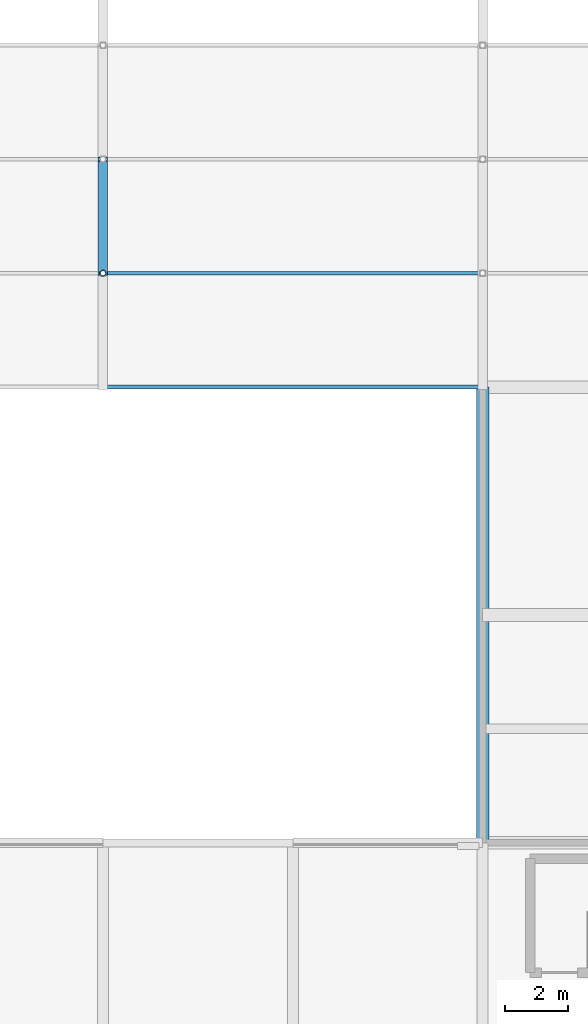
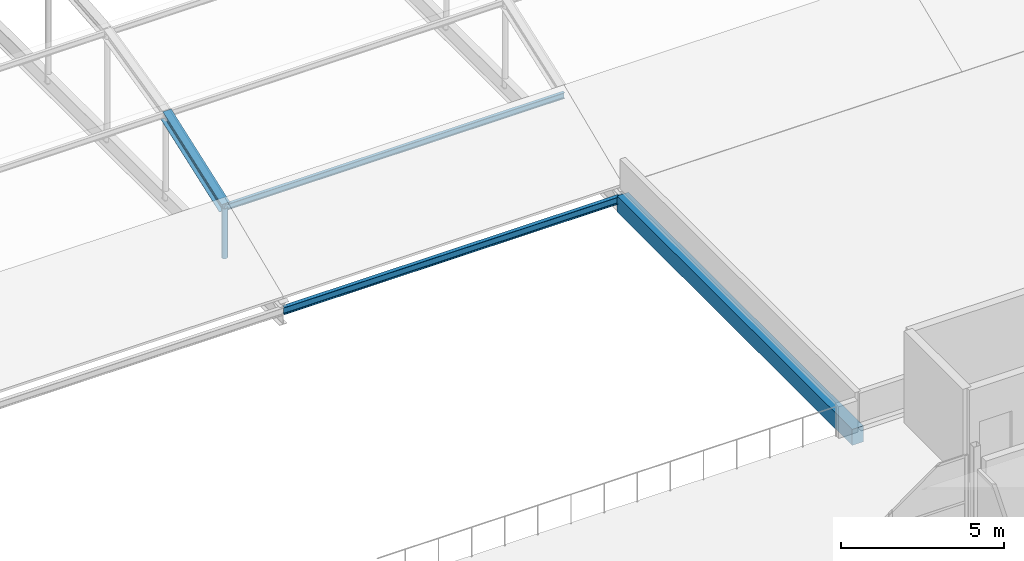
# One storey, part 169 of 239: 3 members, 2 beams.
"""IFC4 building model written with IfcOpenShell, lengths in metres."""

from ifc_helpers import new_model, si_unit, direction, frame, origin, origin_2d, place, context, subcontext, project, spatial, rectangle, hollow_circle, i_section, extrude, material, material_profile, profile_set, type_object, element, save


model = new_model("IFC4")

# Units and contexts
model_context = context("Model", 3, precision=1e-05, world=origin(), true_north=direction((0.0, 1.0)))
body_context = subcontext(model_context, "Body", "Model", "MODEL_VIEW")
ifc_project = project(units=[si_unit("LENGTHUNIT", "METRE"), si_unit("AREAUNIT", "SQUARE_METRE"), si_unit("VOLUMEUNIT", "CUBIC_METRE"), si_unit("PLANEANGLEUNIT", "RADIAN"), si_unit("MASSUNIT", "GRAM", prefix="KILO")], contexts=[model_context])

# Site, building, storey
site_placement = place(None, origin())
site = spatial("IfcSite", under=ifc_project, at=site_placement, CompositionType="ELEMENT")
building_placement = place(site_placement, origin())
building = spatial("IfcBuilding", under=site, at=building_placement, Name="Dunvalen Ferry Terminal", CompositionType="ELEMENT")
storey_placement = place(building_placement, frame((0.0, 0.0, 9.840087890625)))
storey = spatial("IfcBuildingStorey", under=building, at=storey_placement, Name="L02", CompositionType="ELEMENT", Elevation=9.840087890625)

# Beams
ifc_material_1 = material(Name="Steel S355", Category="steel")
ifc_material_profile_1 = material_profile(ifc_material_1, i_section(OverallWidth=0.300048828125, OverallDepth=0.389892578125, WebThickness=0.010986328125, FlangeThickness=0.01904296875, FilletRadius=0.027099609375, at=origin_2d()), Name="Steel S355")
ifc_profile_set_1 = profile_set([ifc_material_profile_1], Name="Steel S355")
beam_type_1 = type_object("IfcBeamType", Name="STR-BM-HEA400", PredefinedType="BEAM", material=ifc_profile_set_1)
beam_1_placement = place(storey_placement, frame((132.0, 61.199951171875, 1.530517578125), z_axis=(0.0, 0.940736051004, 0.33913962072), x_axis=(-1.0, 0.0, 0.0)))
element("IfcBeam", 1, at=beam_1_placement, inside=storey, type_object=beam_type_1, Name="Arrivals Hall Barrel-Vault Arch Rib 03.2", PredefinedType="BEAM", context=body_context, shape_type="SweptSolid", body=[
    extrude(i_section(OverallWidth=0.300048828125, OverallDepth=0.389892578125, WebThickness=0.010986328125, FlangeThickness=0.01904296875, FilletRadius=0.027099609375, at=origin_2d()), origin(), (0.0, 0.0, 1.0), 3.826904296875),
])
ifc_material_2 = material(Name="Concrete C35/45", Category="concrete")
ifc_material_profile_2 = material_profile(ifc_material_2, rectangle(XDim=0.39990234375, YDim=0.60009765625, at=origin_2d()), Name="Concrete C35/45")
ifc_profile_set_2 = profile_set([ifc_material_profile_2], Name="Concrete C35/45")
beam_type_2 = type_object("IfcBeamType", Name="STR-BM-RCB600", PredefinedType="BEAM", material=ifc_profile_set_2)
beam_2_placement = place(storey_placement, frame((144.0, 57.60009765625, -0.300048828125), z_axis=(0.0, -1.0, 0.0), x_axis=(1.0, 0.0, 0.0)))
element("IfcBeam", 2, at=beam_2_placement, inside=storey, type_object=beam_type_2, Name="L02 Customs Annex Ring Beam 05", PredefinedType="BEAM", context=body_context, shape_type="SweptSolid", body=[
    extrude(rectangle(XDim=0.39990234375, YDim=0.60009765625, at=origin_2d()), origin(), (0.0, 0.0, 1.0), 14.400146484375),
])

# Members
ifc_material_profile_3 = material_profile(ifc_material_1, hollow_circle(Radius=0.096923828125, WallThickness=0.008056640625, at=origin_2d()), Name="Steel S355")
ifc_profile_set_3 = profile_set([ifc_material_profile_3], Name="Steel S355")
member_type_1 = type_object("IfcMemberType", Name="STR-MB-CHS193", PredefinedType="STRUT", material=ifc_profile_set_3)
member_1_placement = place(storey_placement, frame((132.0, 61.199951171875, -0.340087890625), z_axis=(0.0, 0.0, 1.0), x_axis=(1.0, 0.0, 0.0)))
element("IfcMember", 3, at=member_1_placement, inside=storey, type_object=member_type_1, Name="Arrivals Hall Vault Hanger 03.1", PredefinedType="STRUT", context=body_context, shape_type="SweptSolid", body=[
    extrude(hollow_circle(Radius=0.096923828125, WallThickness=0.008056640625, at=origin_2d()), origin(), (0.0, 0.0, 1.0), 1.87060546875),
])
ifc_material_profile_4 = material_profile(ifc_material_1, i_section(OverallWidth=0.110107421875, OverallDepth=0.219970703125, WebThickness=0.005859375, FlangeThickness=0.00927734375, FilletRadius=0.011962890625, at=origin_2d()), Name="Steel S355")
ifc_profile_set_4 = profile_set([ifc_material_profile_4], Name="Steel S355")
member_type_2 = type_object("IfcMemberType", Name="STR-MB-IPE220", PredefinedType="PURLIN", material=ifc_profile_set_4)
member_2_placement = place(storey_placement, frame((132.0, 61.199951171875, 1.530517578125), z_axis=(1.0, 0.0, 0.0), x_axis=(0.0, 1.0, 0.0)))
element("IfcMember", 4, at=member_2_placement, inside=storey, type_object=member_type_2, Name="Arrivals Hall Barrel-Vault Purlin 3.2", PredefinedType="PURLIN", context=body_context, shape_type="SweptSolid", body=[
    extrude(i_section(OverallWidth=0.110107421875, OverallDepth=0.219970703125, WebThickness=0.005859375, FlangeThickness=0.00927734375, FilletRadius=0.011962890625, at=origin_2d()), origin(), (0.0, 0.0, 1.0), 12.0),
])
ifc_material_profile_5 = material_profile(ifc_material_1, i_section(OverallWidth=0.135009765625, OverallDepth=0.27001953125, WebThickness=0.006591796875, FlangeThickness=0.01025390625, FilletRadius=0.014892578125, at=origin_2d()), Name="Steel S355")
ifc_profile_set_5 = profile_set([ifc_material_profile_5], Name="Steel S355")
member_type_3 = type_object("IfcMemberType", Name="STR-MB-IPE270", PredefinedType="PURLIN", material=ifc_profile_set_5)
member_3_placement = place(storey_placement, frame((132.0, 57.60009765625, -0.14013671875), z_axis=(1.0, 0.0, 0.0), x_axis=(0.0, 1.0, 0.0)))
element("IfcMember", 5, at=member_3_placement, inside=storey, type_object=member_type_3, Name="Arrivals Hall Barrel-Vault Purlin 3.1", PredefinedType="PURLIN", context=body_context, shape_type="SweptSolid", body=[
    extrude(i_section(OverallWidth=0.135009765625, OverallDepth=0.27001953125, WebThickness=0.006591796875, FlangeThickness=0.01025390625, FilletRadius=0.014892578125, at=origin_2d()), origin(), (0.0, 0.0, 1.0), 12.0),
])

save(model, "model.ifc")
